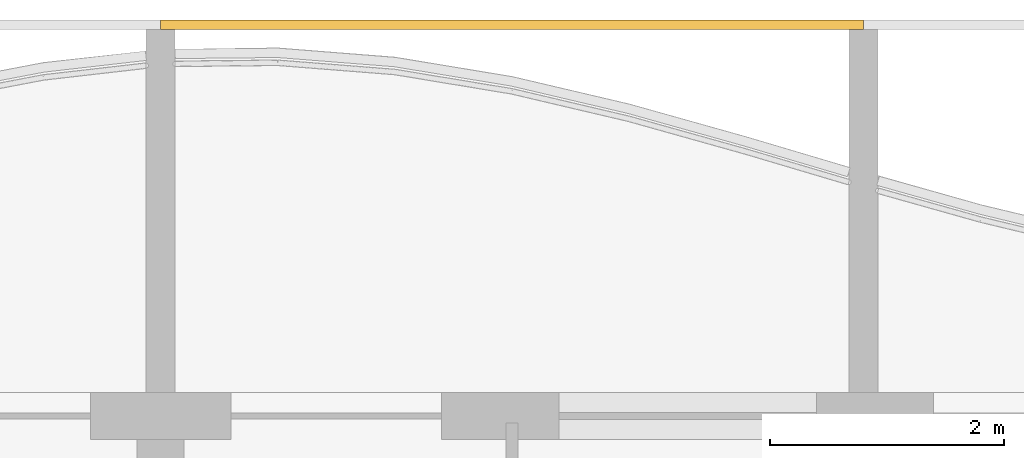
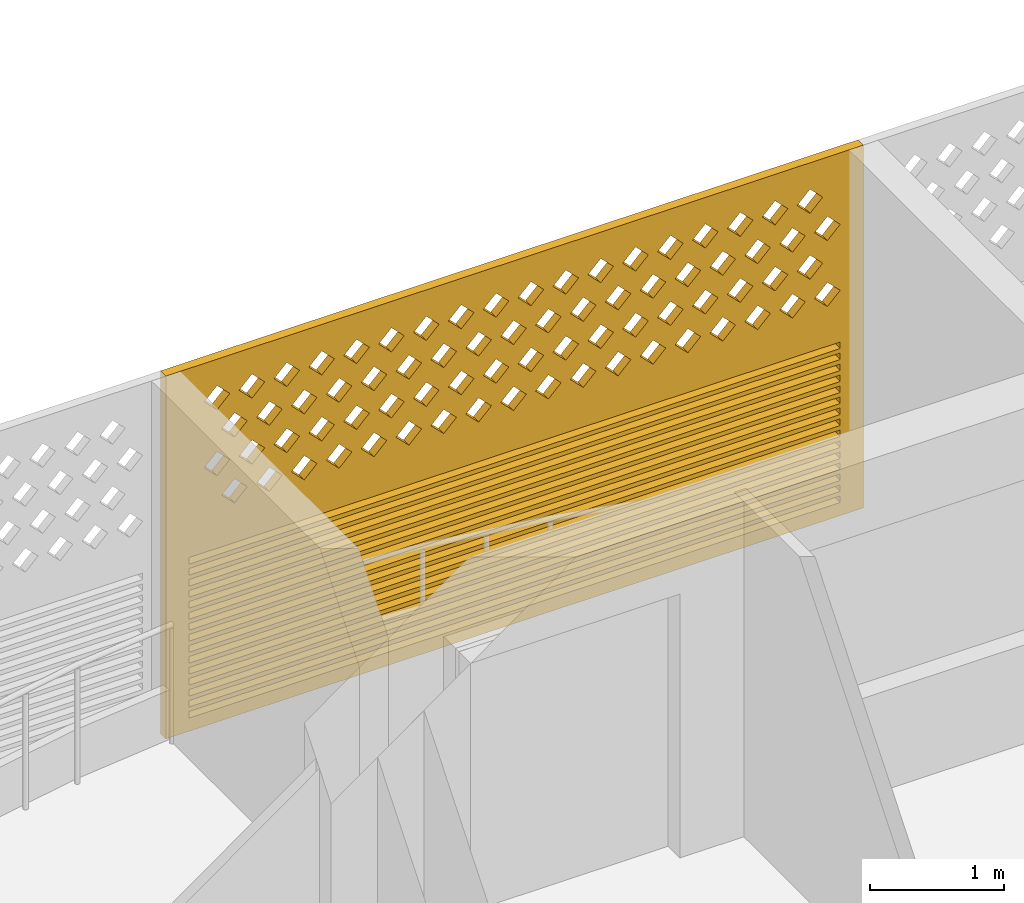
# One storey, part 32 of 39: 1 covering.
"""IFC4 building model written with IfcOpenShell, lengths in metres."""

import ifcopenshell
import ifcopenshell.guid

model = None  # the IFC model being written
_history = None  # IfcOwnerHistory: only IFC2X3 demands one
_inside = {}  # id of a spatial element -> (the spatial element, [elements in it])
_under = {}  # id of a project, library or spatial element -> (it, [spatial elements below it])
_declared = {}  # id of a project -> (the project, [libraries it declares])
_typed = {}  # id of a type object -> (the type object, [elements of that type])
_made_of = {}  # id of a material, layer set ... -> (it, [elements and type objects made of it])


def new_model(schema):
    """Start an empty IFC model of exactly this schema.

    Asked for "IFC4X3", IfcOpenShell would pick the latest addendum, in which some entities
    have other attributes; the version numbers below select the first issue.
    IFC2X3 requires an IfcOwnerHistory on every rooted entity: one is made here for all.
    """
    global model, _history
    if schema == "IFC4X3":
        model = ifcopenshell.file(schema_version=(4, 3, 0, 0))
    else:
        model = ifcopenshell.file(schema=schema)
    _inside.clear()
    _under.clear()
    _declared.clear()
    _typed.clear()
    _made_of.clear()
    _history = None
    if model.schema == "IFC2X3":
        org = make("IfcOrganization", Name="unknown")
        user = make(
            "IfcPersonAndOrganization",
            ThePerson=make("IfcPerson", FamilyName="unknown"),
            TheOrganization=org,
        )
        app = make(
            "IfcApplication",
            ApplicationDeveloper=org,
            Version="unknown",
            ApplicationFullName="unknown",
            ApplicationIdentifier="unknown",
        )
        _history = make(
            "IfcOwnerHistory",
            OwningUser=user,
            OwningApplication=app,
            ChangeAction="ADDED",
            CreationDate=0,
        )
    return model


def make(cls, **values):
    """One entity of the class cls with the attributes given. An attribute that is None is left unset."""
    return model.create_entity(
        cls, **{name: value for name, value in values.items() if value is not None}
    )


def rooted(cls, **values):
    """An entity with a GlobalId (a new one), such as an element, a storey or a relation."""
    return make(cls, GlobalId=ifcopenshell.guid.new(), OwnerHistory=_history, **values)


def si_unit(unit_type, name, prefix=None):
    """IfcSIUnit, for example si_unit("LENGTHUNIT", "METRE", prefix="MILLI")."""
    return make("IfcSIUnit", UnitType=unit_type, Prefix=prefix, Name=name)


def assignment(units):
    """IfcUnitAssignment: the units of a project."""
    return None if units is None else make("IfcUnitAssignment", Units=units)


def point(xyz):
    """IfcCartesianPoint."""
    return None if xyz is None else make("IfcCartesianPoint", Coordinates=xyz)


def direction(xyz):
    """IfcDirection."""
    return None if xyz is None else make("IfcDirection", DirectionRatios=xyz)


def frame(location, z_axis=None, x_axis=None):
    """IfcAxis2Placement3D, a coordinate frame: its origin and axes. An axis left out is left unset."""
    return make(
        "IfcAxis2Placement3D",
        Location=point(location),
        Axis=direction(z_axis),
        RefDirection=direction(x_axis),
    )


def origin():
    """The frame at (0, 0, 0) with its axes left unset."""
    return frame((0.0, 0.0, 0.0))


def place(relative_to, where):
    """IfcLocalPlacement: puts the frame where relative to a parent placement (None: the world)."""
    return make(
        "IfcLocalPlacement", PlacementRelTo=relative_to, RelativePlacement=where
    )


def context(
    kind, dimensions, precision=None, world=None, true_north=None, identifier=None
):
    """IfcGeometricRepresentationContext, for example the 3D "Model" context."""
    return make(
        "IfcGeometricRepresentationContext",
        ContextIdentifier=identifier,
        ContextType=kind,
        CoordinateSpaceDimension=dimensions,
        Precision=precision,
        WorldCoordinateSystem=world,
        TrueNorth=true_north,
    )


def subcontext(parent, identifier, kind, view, scale=None):
    """IfcGeometricRepresentationSubContext, for example "Body" below "Model"."""
    return make(
        "IfcGeometricRepresentationSubContext",
        ContextIdentifier=identifier,
        ContextType=kind,
        ParentContext=parent,
        TargetScale=scale,
        TargetView=view,
    )


def project(units=None, contexts=None):
    """IfcProject with its units and contexts."""
    return rooted(
        "IfcProject",
        Name="project",
        RepresentationContexts=contexts,
        UnitsInContext=assignment(units),
    )


def spatial(cls, under=None, at=None, **own):
    """A site, building, storey or space (cls), placed at a placement, below another one or the project."""
    s = rooted(cls, ObjectPlacement=at, **own)
    if under is not None:
        _under.setdefault(under.id(), (under, []))[1].append(s)
    return s


def polyline(points):
    """IfcPolyline through the points."""
    return make("IfcPolyline", Points=[point(p) for p in points])


def outline(outer, holes=None, kind="AREA"):
    """IfcArbitraryClosedProfileDef: a profile drawn as a closed curve; with holes, ...WithVoids."""
    if holes is None:
        return make("IfcArbitraryClosedProfileDef", ProfileType=kind, OuterCurve=outer)
    return make(
        "IfcArbitraryProfileDefWithVoids",
        ProfileType=kind,
        OuterCurve=outer,
        InnerCurves=holes,
    )


def extrude(swept, where, along, depth):
    """IfcExtrudedAreaSolid: the profile swept, set in the frame where, extruded along a direction by depth."""
    return make(
        "IfcExtrudedAreaSolid",
        SweptArea=swept,
        Position=where,
        ExtrudedDirection=direction(along),
        Depth=depth,
    )


def shape(context_of_items, identifier, shape_type, items):
    """IfcShapeRepresentation: the items that make up one representation, for example the "Body"."""
    return make(
        "IfcShapeRepresentation",
        ContextOfItems=context_of_items,
        RepresentationIdentifier=identifier,
        RepresentationType=shape_type,
        Items=items,
    )


def source(mapping_origin, context_of_items, identifier, shape_type, items):
    """IfcRepresentationMap: a shape defined once, which mapped items show again and again."""
    return make(
        "IfcRepresentationMap",
        MappingOrigin=mapping_origin,
        MappedRepresentation=shape(context_of_items, identifier, shape_type, items),
    )


def transform(
    local_origin,
    x_axis=None,
    y_axis=None,
    z_axis=None,
    scale=None,
    scale2=None,
    scale3=None,
    uniform=True,
):
    """IfcCartesianTransformationOperator3D, or its non-uniform kind. x_axis, y_axis, z_axis: its Axis1, 2, 3."""
    if uniform:
        return make(
            "IfcCartesianTransformationOperator3D",
            Axis1=direction(x_axis),
            Axis2=direction(y_axis),
            LocalOrigin=point(local_origin),
            Scale=scale,
            Axis3=direction(z_axis),
        )
    return make(
        "IfcCartesianTransformationOperator3DnonUniform",
        Axis1=direction(x_axis),
        Axis2=direction(y_axis),
        LocalOrigin=point(local_origin),
        Scale=scale,
        Axis3=direction(z_axis),
        Scale2=scale2,
        Scale3=scale3,
    )


def mapped(mapping_source, mapping_target):
    """IfcMappedItem: shows the shape of a source again, moved by a transform."""
    return make(
        "IfcMappedItem", MappingSource=mapping_source, MappingTarget=mapping_target
    )


def material(Name=None, Category=None):
    """IfcMaterial."""
    return make("IfcMaterial", Name=Name, Category=Category)


def material_profile(
    of_material, cross_section, Name=None, Category=None, Priority=None
):
    """IfcMaterialProfile: a cross section and its material."""
    return make(
        "IfcMaterialProfile",
        Name=Name,
        Material=of_material,
        Profile=cross_section,
        Priority=Priority,
        Category=Category,
    )


def profile_set(profiles, Name=None, composite=None):
    """IfcMaterialProfileSet."""
    return make(
        "IfcMaterialProfileSet",
        Name=Name,
        MaterialProfiles=profiles,
        CompositeProfile=composite,
    )


def made_of(thing, what):
    """Note that an element or type object is made of a material, layer set ...; save() writes the relation."""
    if what is not None:
        _made_of.setdefault(what.id(), (what, []))[1].append(thing)
    return thing


def type_object(cls, material=None, **own):
    """A type object (cls), such as IfcWallType, which elements share."""
    return made_of(rooted(cls, **own), material)


def element(
    cls,
    number,
    at=None,
    inside=None,
    cuts=None,
    type_object=None,
    material=None,
    context=None,
    identifier="Body",
    shape_type=None,
    held_by="IfcProductDefinitionShape",
    body=None,
    shapes=None,
    **own,
):
    """One element of the class cls, such as IfcWall. Its Tag is "e" and its number.

    at: its placement. inside: the storey or other place that contains it. cuts: it is an
    opening in that element (IfcRelVoidsElement). A single representation is given by context,
    identifier, shape_type and body (its items); several are given by shapes. held_by: the class
    of the entity that holds the representations. save() writes the other relations.
    """
    e = rooted(cls, Tag="e%d" % number, ObjectPlacement=at, **own)
    if body is not None:
        shapes = [shape(context, identifier, shape_type, body)]
    if shapes is not None:
        e.Representation = make(held_by, Representations=shapes)
    if inside is not None:
        _inside.setdefault(inside.id(), (inside, []))[1].append(e)
    if cuts is not None:
        rooted(
            "IfcRelVoidsElement", RelatingBuildingElement=cuts, RelatedOpeningElement=e
        )
    if type_object is not None:
        _typed.setdefault(type_object.id(), (type_object, []))[1].append(e)
    return made_of(e, material)


def aggregate(whole, parts):
    """IfcRelAggregates: a whole, such as a stair, and the parts it consists of."""
    return rooted("IfcRelAggregates", RelatingObject=whole, RelatedObjects=parts)


def save(model, path):
    """Write the relations noted so far, then the file.

    IfcRelAggregates (storeys below a building ...), IfcRelContainedInSpatialStructure (elements
    in a storey), IfcRelDefinesByType, IfcRelAssociatesMaterial and IfcRelDeclares: one each for
    every whole, place, type object, material and project.
    """
    for whole, parts in _under.values():
        aggregate(whole, parts)
    for where, things in _inside.values():
        rooted(
            "IfcRelContainedInSpatialStructure",
            RelatedElements=things,
            RelatingStructure=where,
        )
    for kind, things in _typed.values():
        rooted("IfcRelDefinesByType", RelatedObjects=things, RelatingType=kind)
    for what, things in _made_of.values():
        rooted("IfcRelAssociatesMaterial", RelatedObjects=things, RelatingMaterial=what)
    for by, libraries in _declared.values():
        rooted("IfcRelDeclares", RelatingContext=by, RelatedDefinitions=libraries)
    model.write(path)


model = new_model("IFC4")

# Units and contexts
model_context = context("Model", 3, precision=1e-05, world=origin(), true_north=direction((0.0, 1.0)))
body_context = subcontext(model_context, "Body", "Model", "MODEL_VIEW")
ifc_project = project(units=[si_unit("LENGTHUNIT", "METRE"), si_unit("AREAUNIT", "SQUARE_METRE"), si_unit("VOLUMEUNIT", "CUBIC_METRE"), si_unit("PLANEANGLEUNIT", "RADIAN"), si_unit("MASSUNIT", "GRAM", prefix="KILO")], contexts=[model_context])

# Site, building, storey
site_placement = place(None, origin())
site = spatial("IfcSite", under=ifc_project, at=site_placement, CompositionType="ELEMENT")
building_placement = place(site_placement, origin())
building = spatial("IfcBuilding", under=site, at=building_placement, Name="Poui Terraces", CompositionType="ELEMENT")
storey_placement = place(building_placement, frame((0.0, 0.0, 59.699951171875)))
storey = spatial("IfcBuildingStorey", under=building, at=storey_placement, Name="L16", CompositionType="ELEMENT", Elevation=59.699951171875)

# Covering
ifc_material = material(Name="Terracotta screen", Category="masonry")
ifc_material_profile = material_profile(ifc_material, outline(polyline([(-3.0, -1.64990234375), (3.0, -1.64990234375), (3.0, 1.64990234375), (-3.0, 1.64990234375), (-3.0, -1.64990234375)]), holes=[polyline([(-2.800048828125, 0.39990234375), (-2.68994140625, 0.2900390625), (-2.580078125, 0.39990234375), (-2.68994140625, 0.510009765625), (-2.800048828125, 0.39990234375)]), polyline([(-2.5, 0.39990234375), (-2.389892578125, 0.2900390625), (-2.280029296875, 0.39990234375), (-2.389892578125, 0.510009765625), (-2.5, 0.39990234375)]), polyline([(-2.199951171875, 0.39990234375), (-2.090087890625, 0.2900390625), (-1.97998046875, 0.39990234375), (-2.090087890625, 0.510009765625), (-2.199951171875, 0.39990234375)]), polyline([(-1.89990234375, 0.39990234375), (-1.7900390625, 0.2900390625), (-1.679931640625, 0.39990234375), (-1.7900390625, 0.510009765625), (-1.89990234375, 0.39990234375)]), polyline([(-1.60009765625, 0.39990234375), (-1.489990234375, 0.2900390625), (-1.3798828125, 0.39990234375), (-1.489990234375, 0.510009765625), (-1.60009765625, 0.39990234375)]), polyline([(-1.300048828125, 0.39990234375), (-1.18994140625, 0.2900390625), (-1.080078125, 0.39990234375), (-1.18994140625, 0.510009765625), (-1.300048828125, 0.39990234375)]), polyline([(-1.0, 0.39990234375), (-0.889892578125, 0.2900390625), (-0.780029296875, 0.39990234375), (-0.889892578125, 0.510009765625), (-1.0, 0.39990234375)]), polyline([(-0.699951171875, 0.39990234375), (-0.590087890625, 0.2900390625), (-0.47998046875, 0.39990234375), (-0.590087890625, 0.510009765625), (-0.699951171875, 0.39990234375)]), polyline([(-0.39990234375, 0.39990234375), (-0.2900390625, 0.2900390625), (-0.179931640625, 0.39990234375), (-0.2900390625, 0.510009765625), (-0.39990234375, 0.39990234375)]), polyline([(-0.10009765625, 0.39990234375), (0.010009765625, 0.2900390625), (0.1201171875, 0.39990234375), (0.010009765625, 0.510009765625), (-0.10009765625, 0.39990234375)]), polyline([(0.199951171875, 0.39990234375), (0.31005859375, 0.2900390625), (0.419921875, 0.39990234375), (0.31005859375, 0.510009765625), (0.199951171875, 0.39990234375)]), polyline([(0.5, 0.39990234375), (0.610107421875, 0.2900390625), (0.719970703125, 0.39990234375), (0.610107421875, 0.510009765625), (0.5, 0.39990234375)]), polyline([(0.800048828125, 0.39990234375), (0.909912109375, 0.2900390625), (1.02001953125, 0.39990234375), (0.909912109375, 0.510009765625), (0.800048828125, 0.39990234375)]), polyline([(1.10009765625, 0.39990234375), (1.2099609375, 0.2900390625), (1.320068359375, 0.39990234375), (1.2099609375, 0.510009765625), (1.10009765625, 0.39990234375)]), polyline([(1.39990234375, 0.39990234375), (1.510009765625, 0.2900390625), (1.6201171875, 0.39990234375), (1.510009765625, 0.510009765625), (1.39990234375, 0.39990234375)]), polyline([(1.699951171875, 0.39990234375), (1.81005859375, 0.2900390625), (1.919921875, 0.39990234375), (1.81005859375, 0.510009765625), (1.699951171875, 0.39990234375)]), polyline([(2.0, 0.39990234375), (2.110107421875, 0.2900390625), (2.219970703125, 0.39990234375), (2.110107421875, 0.510009765625), (2.0, 0.39990234375)]), polyline([(2.300048828125, 0.39990234375), (2.409912109375, 0.2900390625), (2.52001953125, 0.39990234375), (2.409912109375, 0.510009765625), (2.300048828125, 0.39990234375)]), polyline([(-2.64990234375, 0.699951171875), (-2.5400390625, 0.590087890625), (-2.429931640625, 0.699951171875), (-2.5400390625, 0.81005859375), (-2.64990234375, 0.699951171875)]), polyline([(-2.35009765625, 0.699951171875), (-2.239990234375, 0.590087890625), (-2.1298828125, 0.699951171875), (-2.239990234375, 0.81005859375), (-2.35009765625, 0.699951171875)]), polyline([(-2.050048828125, 0.699951171875), (-1.93994140625, 0.590087890625), (-1.830078125, 0.699951171875), (-1.93994140625, 0.81005859375), (-2.050048828125, 0.699951171875)]), polyline([(-1.75, 0.699951171875), (-1.639892578125, 0.590087890625), (-1.530029296875, 0.699951171875), (-1.639892578125, 0.81005859375), (-1.75, 0.699951171875)]), polyline([(-1.449951171875, 0.699951171875), (-1.340087890625, 0.590087890625), (-1.22998046875, 0.699951171875), (-1.340087890625, 0.81005859375), (-1.449951171875, 0.699951171875)]), polyline([(-1.14990234375, 0.699951171875), (-1.0400390625, 0.590087890625), (-0.929931640625, 0.699951171875), (-1.0400390625, 0.81005859375), (-1.14990234375, 0.699951171875)]), polyline([(-0.85009765625, 0.699951171875), (-0.739990234375, 0.590087890625), (-0.6298828125, 0.699951171875), (-0.739990234375, 0.81005859375), (-0.85009765625, 0.699951171875)]), polyline([(-0.550048828125, 0.699951171875), (-0.43994140625, 0.590087890625), (-0.330078125, 0.699951171875), (-0.43994140625, 0.81005859375), (-0.550048828125, 0.699951171875)]), polyline([(-0.25, 0.699951171875), (-0.139892578125, 0.590087890625), (-0.030029296875, 0.699951171875), (-0.139892578125, 0.81005859375), (-0.25, 0.699951171875)]), polyline([(0.050048828125, 0.699951171875), (0.159912109375, 0.590087890625), (0.27001953125, 0.699951171875), (0.159912109375, 0.81005859375), (0.050048828125, 0.699951171875)]), polyline([(0.35009765625, 0.699951171875), (0.4599609375, 0.590087890625), (0.570068359375, 0.699951171875), (0.4599609375, 0.81005859375), (0.35009765625, 0.699951171875)]), polyline([(0.64990234375, 0.699951171875), (0.760009765625, 0.590087890625), (0.8701171875, 0.699951171875), (0.760009765625, 0.81005859375), (0.64990234375, 0.699951171875)]), polyline([(0.949951171875, 0.699951171875), (1.06005859375, 0.590087890625), (1.169921875, 0.699951171875), (1.06005859375, 0.81005859375), (0.949951171875, 0.699951171875)]), polyline([(1.25, 0.699951171875), (1.360107421875, 0.590087890625), (1.469970703125, 0.699951171875), (1.360107421875, 0.81005859375), (1.25, 0.699951171875)]), polyline([(1.550048828125, 0.699951171875), (1.659912109375, 0.590087890625), (1.77001953125, 0.699951171875), (1.659912109375, 0.81005859375), (1.550048828125, 0.699951171875)]), polyline([(1.85009765625, 0.699951171875), (1.9599609375, 0.590087890625), (2.070068359375, 0.699951171875), (1.9599609375, 0.81005859375), (1.85009765625, 0.699951171875)]), polyline([(2.14990234375, 0.699951171875), (2.260009765625, 0.590087890625), (2.3701171875, 0.699951171875), (2.260009765625, 0.81005859375), (2.14990234375, 0.699951171875)]), polyline([(2.449951171875, 0.699951171875), (2.56005859375, 0.590087890625), (2.669921875, 0.699951171875), (2.56005859375, 0.81005859375), (2.449951171875, 0.699951171875)]), polyline([(-2.800048828125, 1.0), (-2.68994140625, 0.889892578125), (-2.580078125, 1.0), (-2.68994140625, 1.110107421875), (-2.800048828125, 1.0)]), polyline([(-2.5, 1.0), (-2.389892578125, 0.889892578125), (-2.280029296875, 1.0), (-2.389892578125, 1.110107421875), (-2.5, 1.0)]), polyline([(-2.199951171875, 1.0), (-2.090087890625, 0.889892578125), (-1.97998046875, 1.0), (-2.090087890625, 1.110107421875), (-2.199951171875, 1.0)]), polyline([(-1.89990234375, 1.0), (-1.7900390625, 0.889892578125), (-1.679931640625, 1.0), (-1.7900390625, 1.110107421875), (-1.89990234375, 1.0)]), polyline([(-1.60009765625, 1.0), (-1.489990234375, 0.889892578125), (-1.3798828125, 1.0), (-1.489990234375, 1.110107421875), (-1.60009765625, 1.0)]), polyline([(-1.300048828125, 1.0), (-1.18994140625, 0.889892578125), (-1.080078125, 1.0), (-1.18994140625, 1.110107421875), (-1.300048828125, 1.0)]), polyline([(-1.0, 1.0), (-0.889892578125, 0.889892578125), (-0.780029296875, 1.0), (-0.889892578125, 1.110107421875), (-1.0, 1.0)]), polyline([(-0.699951171875, 1.0), (-0.590087890625, 0.889892578125), (-0.47998046875, 1.0), (-0.590087890625, 1.110107421875), (-0.699951171875, 1.0)]), polyline([(-0.39990234375, 1.0), (-0.2900390625, 0.889892578125), (-0.179931640625, 1.0), (-0.2900390625, 1.110107421875), (-0.39990234375, 1.0)]), polyline([(-0.10009765625, 1.0), (0.010009765625, 0.889892578125), (0.1201171875, 1.0), (0.010009765625, 1.110107421875), (-0.10009765625, 1.0)]), polyline([(0.199951171875, 1.0), (0.31005859375, 0.889892578125), (0.419921875, 1.0), (0.31005859375, 1.110107421875), (0.199951171875, 1.0)]), polyline([(0.5, 1.0), (0.610107421875, 0.889892578125), (0.719970703125, 1.0), (0.610107421875, 1.110107421875), (0.5, 1.0)]), polyline([(0.800048828125, 1.0), (0.909912109375, 0.889892578125), (1.02001953125, 1.0), (0.909912109375, 1.110107421875), (0.800048828125, 1.0)]), polyline([(1.10009765625, 1.0), (1.2099609375, 0.889892578125), (1.320068359375, 1.0), (1.2099609375, 1.110107421875), (1.10009765625, 1.0)]), polyline([(1.39990234375, 1.0), (1.510009765625, 0.889892578125), (1.6201171875, 1.0), (1.510009765625, 1.110107421875), (1.39990234375, 1.0)]), polyline([(1.699951171875, 1.0), (1.81005859375, 0.889892578125), (1.919921875, 1.0), (1.81005859375, 1.110107421875), (1.699951171875, 1.0)]), polyline([(2.0, 1.0), (2.110107421875, 0.889892578125), (2.219970703125, 1.0), (2.110107421875, 1.110107421875), (2.0, 1.0)]), polyline([(2.300048828125, 1.0), (2.409912109375, 0.889892578125), (2.52001953125, 1.0), (2.409912109375, 1.110107421875), (2.300048828125, 1.0)]), polyline([(-2.64990234375, 1.300048828125), (-2.5400390625, 1.18994140625), (-2.429931640625, 1.300048828125), (-2.5400390625, 1.409912109375), (-2.64990234375, 1.300048828125)]), polyline([(-2.35009765625, 1.300048828125), (-2.239990234375, 1.18994140625), (-2.1298828125, 1.300048828125), (-2.239990234375, 1.409912109375), (-2.35009765625, 1.300048828125)]), polyline([(-2.050048828125, 1.300048828125), (-1.93994140625, 1.18994140625), (-1.830078125, 1.300048828125), (-1.93994140625, 1.409912109375), (-2.050048828125, 1.300048828125)]), polyline([(-1.75, 1.300048828125), (-1.639892578125, 1.18994140625), (-1.530029296875, 1.300048828125), (-1.639892578125, 1.409912109375), (-1.75, 1.300048828125)]), polyline([(-1.449951171875, 1.300048828125), (-1.340087890625, 1.18994140625), (-1.22998046875, 1.300048828125), (-1.340087890625, 1.409912109375), (-1.449951171875, 1.300048828125)]), polyline([(-1.14990234375, 1.300048828125), (-1.0400390625, 1.18994140625), (-0.929931640625, 1.300048828125), (-1.0400390625, 1.409912109375), (-1.14990234375, 1.300048828125)]), polyline([(-0.85009765625, 1.300048828125), (-0.739990234375, 1.18994140625), (-0.6298828125, 1.300048828125), (-0.739990234375, 1.409912109375), (-0.85009765625, 1.300048828125)]), polyline([(-0.550048828125, 1.300048828125), (-0.43994140625, 1.18994140625), (-0.330078125, 1.300048828125), (-0.43994140625, 1.409912109375), (-0.550048828125, 1.300048828125)]), polyline([(-0.25, 1.300048828125), (-0.139892578125, 1.18994140625), (-0.030029296875, 1.300048828125), (-0.139892578125, 1.409912109375), (-0.25, 1.300048828125)]), polyline([(0.050048828125, 1.300048828125), (0.159912109375, 1.18994140625), (0.27001953125, 1.300048828125), (0.159912109375, 1.409912109375), (0.050048828125, 1.300048828125)]), polyline([(0.35009765625, 1.300048828125), (0.4599609375, 1.18994140625), (0.570068359375, 1.300048828125), (0.4599609375, 1.409912109375), (0.35009765625, 1.300048828125)]), polyline([(0.64990234375, 1.300048828125), (0.760009765625, 1.18994140625), (0.8701171875, 1.300048828125), (0.760009765625, 1.409912109375), (0.64990234375, 1.300048828125)]), polyline([(0.949951171875, 1.300048828125), (1.06005859375, 1.18994140625), (1.169921875, 1.300048828125), (1.06005859375, 1.409912109375), (0.949951171875, 1.300048828125)]), polyline([(1.25, 1.300048828125), (1.360107421875, 1.18994140625), (1.469970703125, 1.300048828125), (1.360107421875, 1.409912109375), (1.25, 1.300048828125)]), polyline([(1.550048828125, 1.300048828125), (1.659912109375, 1.18994140625), (1.77001953125, 1.300048828125), (1.659912109375, 1.409912109375), (1.550048828125, 1.300048828125)]), polyline([(1.85009765625, 1.300048828125), (1.9599609375, 1.18994140625), (2.070068359375, 1.300048828125), (1.9599609375, 1.409912109375), (1.85009765625, 1.300048828125)]), polyline([(2.14990234375, 1.300048828125), (2.260009765625, 1.18994140625), (2.3701171875, 1.300048828125), (2.260009765625, 1.409912109375), (2.14990234375, 1.300048828125)]), polyline([(2.449951171875, 1.300048828125), (2.56005859375, 1.18994140625), (2.669921875, 1.300048828125), (2.56005859375, 1.409912109375), (2.449951171875, 1.300048828125)]), polyline([(-2.800048828125, -1.530029296875), (2.800048828125, -1.530029296875), (2.800048828125, -1.469970703125), (-2.800048828125, -1.469970703125), (-2.800048828125, -1.530029296875)]), polyline([(-2.800048828125, -1.429931640625), (2.800048828125, -1.429931640625), (2.800048828125, -1.3701171875), (-2.800048828125, -1.3701171875), (-2.800048828125, -1.429931640625)]), polyline([(-2.800048828125, -1.330078125), (2.800048828125, -1.330078125), (2.800048828125, -1.27001953125), (-2.800048828125, -1.27001953125), (-2.800048828125, -1.330078125)]), polyline([(-2.800048828125, -1.22998046875), (2.800048828125, -1.22998046875), (2.800048828125, -1.169921875), (-2.800048828125, -1.169921875), (-2.800048828125, -1.22998046875)]), polyline([(-2.800048828125, -1.1298828125), (2.800048828125, -1.1298828125), (2.800048828125, -1.070068359375), (-2.800048828125, -1.070068359375), (-2.800048828125, -1.1298828125)]), polyline([(-2.800048828125, -1.030029296875), (2.800048828125, -1.030029296875), (2.800048828125, -0.969970703125), (-2.800048828125, -0.969970703125), (-2.800048828125, -1.030029296875)]), polyline([(-2.800048828125, -0.929931640625), (2.800048828125, -0.929931640625), (2.800048828125, -0.8701171875), (-2.800048828125, -0.8701171875), (-2.800048828125, -0.929931640625)]), polyline([(-2.800048828125, -0.830078125), (2.800048828125, -0.830078125), (2.800048828125, -0.77001953125), (-2.800048828125, -0.77001953125), (-2.800048828125, -0.830078125)]), polyline([(-2.800048828125, -0.72998046875), (2.800048828125, -0.72998046875), (2.800048828125, -0.669921875), (-2.800048828125, -0.669921875), (-2.800048828125, -0.72998046875)]), polyline([(-2.800048828125, -0.6298828125), (2.800048828125, -0.6298828125), (2.800048828125, -0.570068359375), (-2.800048828125, -0.570068359375), (-2.800048828125, -0.6298828125)]), polyline([(-2.800048828125, -0.530029296875), (2.800048828125, -0.530029296875), (2.800048828125, -0.469970703125), (-2.800048828125, -0.469970703125), (-2.800048828125, -0.530029296875)]), polyline([(-2.800048828125, -0.429931640625), (2.800048828125, -0.429931640625), (2.800048828125, -0.3701171875), (-2.800048828125, -0.3701171875), (-2.800048828125, -0.429931640625)]), polyline([(-2.800048828125, -0.330078125), (2.800048828125, -0.330078125), (2.800048828125, -0.27001953125), (-2.800048828125, -0.27001953125), (-2.800048828125, -0.330078125)]), polyline([(-2.800048828125, -0.22998046875), (2.800048828125, -0.22998046875), (2.800048828125, -0.169921875), (-2.800048828125, -0.169921875), (-2.800048828125, -0.22998046875)]), polyline([(-2.800048828125, -0.1298828125), (2.800048828125, -0.1298828125), (2.800048828125, -0.070068359375), (-2.800048828125, -0.070068359375), (-2.800048828125, -0.1298828125)])]), Name="TERRACOTTA SCREEN AND JALOUSIE LOUVRE 6000X3300")
ifc_profile_set = profile_set([ifc_material_profile], Name="Terracotta screen")
covering_type = type_object("IfcCoveringType", Name="TERRACOTTA SCREEN AND JALOUSIE LOUVRE 6000X3300", PredefinedType="CLADDING", material=ifc_profile_set)
shared_shape = source(origin(), body_context, "Body", "SweptSolid", [
    extrude(outline(polyline([(-3.0, -1.64990234375), (3.0, -1.64990234375), (3.0, 1.64990234375), (-3.0, 1.64990234375), (-3.0, -1.64990234375)]), holes=[polyline([(-2.800048828125, 0.39990234375), (-2.68994140625, 0.2900390625), (-2.580078125, 0.39990234375), (-2.68994140625, 0.510009765625), (-2.800048828125, 0.39990234375)]), polyline([(-2.5, 0.39990234375), (-2.389892578125, 0.2900390625), (-2.280029296875, 0.39990234375), (-2.389892578125, 0.510009765625), (-2.5, 0.39990234375)]), polyline([(-2.199951171875, 0.39990234375), (-2.090087890625, 0.2900390625), (-1.97998046875, 0.39990234375), (-2.090087890625, 0.510009765625), (-2.199951171875, 0.39990234375)]), polyline([(-1.89990234375, 0.39990234375), (-1.7900390625, 0.2900390625), (-1.679931640625, 0.39990234375), (-1.7900390625, 0.510009765625), (-1.89990234375, 0.39990234375)]), polyline([(-1.60009765625, 0.39990234375), (-1.489990234375, 0.2900390625), (-1.3798828125, 0.39990234375), (-1.489990234375, 0.510009765625), (-1.60009765625, 0.39990234375)]), polyline([(-1.300048828125, 0.39990234375), (-1.18994140625, 0.2900390625), (-1.080078125, 0.39990234375), (-1.18994140625, 0.510009765625), (-1.300048828125, 0.39990234375)]), polyline([(-1.0, 0.39990234375), (-0.889892578125, 0.2900390625), (-0.780029296875, 0.39990234375), (-0.889892578125, 0.510009765625), (-1.0, 0.39990234375)]), polyline([(-0.699951171875, 0.39990234375), (-0.590087890625, 0.2900390625), (-0.47998046875, 0.39990234375), (-0.590087890625, 0.510009765625), (-0.699951171875, 0.39990234375)]), polyline([(-0.39990234375, 0.39990234375), (-0.2900390625, 0.2900390625), (-0.179931640625, 0.39990234375), (-0.2900390625, 0.510009765625), (-0.39990234375, 0.39990234375)]), polyline([(-0.10009765625, 0.39990234375), (0.010009765625, 0.2900390625), (0.1201171875, 0.39990234375), (0.010009765625, 0.510009765625), (-0.10009765625, 0.39990234375)]), polyline([(0.199951171875, 0.39990234375), (0.31005859375, 0.2900390625), (0.419921875, 0.39990234375), (0.31005859375, 0.510009765625), (0.199951171875, 0.39990234375)]), polyline([(0.5, 0.39990234375), (0.610107421875, 0.2900390625), (0.719970703125, 0.39990234375), (0.610107421875, 0.510009765625), (0.5, 0.39990234375)]), polyline([(0.800048828125, 0.39990234375), (0.909912109375, 0.2900390625), (1.02001953125, 0.39990234375), (0.909912109375, 0.510009765625), (0.800048828125, 0.39990234375)]), polyline([(1.10009765625, 0.39990234375), (1.2099609375, 0.2900390625), (1.320068359375, 0.39990234375), (1.2099609375, 0.510009765625), (1.10009765625, 0.39990234375)]), polyline([(1.39990234375, 0.39990234375), (1.510009765625, 0.2900390625), (1.6201171875, 0.39990234375), (1.510009765625, 0.510009765625), (1.39990234375, 0.39990234375)]), polyline([(1.699951171875, 0.39990234375), (1.81005859375, 0.2900390625), (1.919921875, 0.39990234375), (1.81005859375, 0.510009765625), (1.699951171875, 0.39990234375)]), polyline([(2.0, 0.39990234375), (2.110107421875, 0.2900390625), (2.219970703125, 0.39990234375), (2.110107421875, 0.510009765625), (2.0, 0.39990234375)]), polyline([(2.300048828125, 0.39990234375), (2.409912109375, 0.2900390625), (2.52001953125, 0.39990234375), (2.409912109375, 0.510009765625), (2.300048828125, 0.39990234375)]), polyline([(-2.64990234375, 0.699951171875), (-2.5400390625, 0.590087890625), (-2.429931640625, 0.699951171875), (-2.5400390625, 0.81005859375), (-2.64990234375, 0.699951171875)]), polyline([(-2.35009765625, 0.699951171875), (-2.239990234375, 0.590087890625), (-2.1298828125, 0.699951171875), (-2.239990234375, 0.81005859375), (-2.35009765625, 0.699951171875)]), polyline([(-2.050048828125, 0.699951171875), (-1.93994140625, 0.590087890625), (-1.830078125, 0.699951171875), (-1.93994140625, 0.81005859375), (-2.050048828125, 0.699951171875)]), polyline([(-1.75, 0.699951171875), (-1.639892578125, 0.590087890625), (-1.530029296875, 0.699951171875), (-1.639892578125, 0.81005859375), (-1.75, 0.699951171875)]), polyline([(-1.449951171875, 0.699951171875), (-1.340087890625, 0.590087890625), (-1.22998046875, 0.699951171875), (-1.340087890625, 0.81005859375), (-1.449951171875, 0.699951171875)]), polyline([(-1.14990234375, 0.699951171875), (-1.0400390625, 0.590087890625), (-0.929931640625, 0.699951171875), (-1.0400390625, 0.81005859375), (-1.14990234375, 0.699951171875)]), polyline([(-0.85009765625, 0.699951171875), (-0.739990234375, 0.590087890625), (-0.6298828125, 0.699951171875), (-0.739990234375, 0.81005859375), (-0.85009765625, 0.699951171875)]), polyline([(-0.550048828125, 0.699951171875), (-0.43994140625, 0.590087890625), (-0.330078125, 0.699951171875), (-0.43994140625, 0.81005859375), (-0.550048828125, 0.699951171875)]), polyline([(-0.25, 0.699951171875), (-0.139892578125, 0.590087890625), (-0.030029296875, 0.699951171875), (-0.139892578125, 0.81005859375), (-0.25, 0.699951171875)]), polyline([(0.050048828125, 0.699951171875), (0.159912109375, 0.590087890625), (0.27001953125, 0.699951171875), (0.159912109375, 0.81005859375), (0.050048828125, 0.699951171875)]), polyline([(0.35009765625, 0.699951171875), (0.4599609375, 0.590087890625), (0.570068359375, 0.699951171875), (0.4599609375, 0.81005859375), (0.35009765625, 0.699951171875)]), polyline([(0.64990234375, 0.699951171875), (0.760009765625, 0.590087890625), (0.8701171875, 0.699951171875), (0.760009765625, 0.81005859375), (0.64990234375, 0.699951171875)]), polyline([(0.949951171875, 0.699951171875), (1.06005859375, 0.590087890625), (1.169921875, 0.699951171875), (1.06005859375, 0.81005859375), (0.949951171875, 0.699951171875)]), polyline([(1.25, 0.699951171875), (1.360107421875, 0.590087890625), (1.469970703125, 0.699951171875), (1.360107421875, 0.81005859375), (1.25, 0.699951171875)]), polyline([(1.550048828125, 0.699951171875), (1.659912109375, 0.590087890625), (1.77001953125, 0.699951171875), (1.659912109375, 0.81005859375), (1.550048828125, 0.699951171875)]), polyline([(1.85009765625, 0.699951171875), (1.9599609375, 0.590087890625), (2.070068359375, 0.699951171875), (1.9599609375, 0.81005859375), (1.85009765625, 0.699951171875)]), polyline([(2.14990234375, 0.699951171875), (2.260009765625, 0.590087890625), (2.3701171875, 0.699951171875), (2.260009765625, 0.81005859375), (2.14990234375, 0.699951171875)]), polyline([(2.449951171875, 0.699951171875), (2.56005859375, 0.590087890625), (2.669921875, 0.699951171875), (2.56005859375, 0.81005859375), (2.449951171875, 0.699951171875)]), polyline([(-2.800048828125, 1.0), (-2.68994140625, 0.889892578125), (-2.580078125, 1.0), (-2.68994140625, 1.110107421875), (-2.800048828125, 1.0)]), polyline([(-2.5, 1.0), (-2.389892578125, 0.889892578125), (-2.280029296875, 1.0), (-2.389892578125, 1.110107421875), (-2.5, 1.0)]), polyline([(-2.199951171875, 1.0), (-2.090087890625, 0.889892578125), (-1.97998046875, 1.0), (-2.090087890625, 1.110107421875), (-2.199951171875, 1.0)]), polyline([(-1.89990234375, 1.0), (-1.7900390625, 0.889892578125), (-1.679931640625, 1.0), (-1.7900390625, 1.110107421875), (-1.89990234375, 1.0)]), polyline([(-1.60009765625, 1.0), (-1.489990234375, 0.889892578125), (-1.3798828125, 1.0), (-1.489990234375, 1.110107421875), (-1.60009765625, 1.0)]), polyline([(-1.300048828125, 1.0), (-1.18994140625, 0.889892578125), (-1.080078125, 1.0), (-1.18994140625, 1.110107421875), (-1.300048828125, 1.0)]), polyline([(-1.0, 1.0), (-0.889892578125, 0.889892578125), (-0.780029296875, 1.0), (-0.889892578125, 1.110107421875), (-1.0, 1.0)]), polyline([(-0.699951171875, 1.0), (-0.590087890625, 0.889892578125), (-0.47998046875, 1.0), (-0.590087890625, 1.110107421875), (-0.699951171875, 1.0)]), polyline([(-0.39990234375, 1.0), (-0.2900390625, 0.889892578125), (-0.179931640625, 1.0), (-0.2900390625, 1.110107421875), (-0.39990234375, 1.0)]), polyline([(-0.10009765625, 1.0), (0.010009765625, 0.889892578125), (0.1201171875, 1.0), (0.010009765625, 1.110107421875), (-0.10009765625, 1.0)]), polyline([(0.199951171875, 1.0), (0.31005859375, 0.889892578125), (0.419921875, 1.0), (0.31005859375, 1.110107421875), (0.199951171875, 1.0)]), polyline([(0.5, 1.0), (0.610107421875, 0.889892578125), (0.719970703125, 1.0), (0.610107421875, 1.110107421875), (0.5, 1.0)]), polyline([(0.800048828125, 1.0), (0.909912109375, 0.889892578125), (1.02001953125, 1.0), (0.909912109375, 1.110107421875), (0.800048828125, 1.0)]), polyline([(1.10009765625, 1.0), (1.2099609375, 0.889892578125), (1.320068359375, 1.0), (1.2099609375, 1.110107421875), (1.10009765625, 1.0)]), polyline([(1.39990234375, 1.0), (1.510009765625, 0.889892578125), (1.6201171875, 1.0), (1.510009765625, 1.110107421875), (1.39990234375, 1.0)]), polyline([(1.699951171875, 1.0), (1.81005859375, 0.889892578125), (1.919921875, 1.0), (1.81005859375, 1.110107421875), (1.699951171875, 1.0)]), polyline([(2.0, 1.0), (2.110107421875, 0.889892578125), (2.219970703125, 1.0), (2.110107421875, 1.110107421875), (2.0, 1.0)]), polyline([(2.300048828125, 1.0), (2.409912109375, 0.889892578125), (2.52001953125, 1.0), (2.409912109375, 1.110107421875), (2.300048828125, 1.0)]), polyline([(-2.64990234375, 1.300048828125), (-2.5400390625, 1.18994140625), (-2.429931640625, 1.300048828125), (-2.5400390625, 1.409912109375), (-2.64990234375, 1.300048828125)]), polyline([(-2.35009765625, 1.300048828125), (-2.239990234375, 1.18994140625), (-2.1298828125, 1.300048828125), (-2.239990234375, 1.409912109375), (-2.35009765625, 1.300048828125)]), polyline([(-2.050048828125, 1.300048828125), (-1.93994140625, 1.18994140625), (-1.830078125, 1.300048828125), (-1.93994140625, 1.409912109375), (-2.050048828125, 1.300048828125)]), polyline([(-1.75, 1.300048828125), (-1.639892578125, 1.18994140625), (-1.530029296875, 1.300048828125), (-1.639892578125, 1.409912109375), (-1.75, 1.300048828125)]), polyline([(-1.449951171875, 1.300048828125), (-1.340087890625, 1.18994140625), (-1.22998046875, 1.300048828125), (-1.340087890625, 1.409912109375), (-1.449951171875, 1.300048828125)]), polyline([(-1.14990234375, 1.300048828125), (-1.0400390625, 1.18994140625), (-0.929931640625, 1.300048828125), (-1.0400390625, 1.409912109375), (-1.14990234375, 1.300048828125)]), polyline([(-0.85009765625, 1.300048828125), (-0.739990234375, 1.18994140625), (-0.6298828125, 1.300048828125), (-0.739990234375, 1.409912109375), (-0.85009765625, 1.300048828125)]), polyline([(-0.550048828125, 1.300048828125), (-0.43994140625, 1.18994140625), (-0.330078125, 1.300048828125), (-0.43994140625, 1.409912109375), (-0.550048828125, 1.300048828125)]), polyline([(-0.25, 1.300048828125), (-0.139892578125, 1.18994140625), (-0.030029296875, 1.300048828125), (-0.139892578125, 1.409912109375), (-0.25, 1.300048828125)]), polyline([(0.050048828125, 1.300048828125), (0.159912109375, 1.18994140625), (0.27001953125, 1.300048828125), (0.159912109375, 1.409912109375), (0.050048828125, 1.300048828125)]), polyline([(0.35009765625, 1.300048828125), (0.4599609375, 1.18994140625), (0.570068359375, 1.300048828125), (0.4599609375, 1.409912109375), (0.35009765625, 1.300048828125)]), polyline([(0.64990234375, 1.300048828125), (0.760009765625, 1.18994140625), (0.8701171875, 1.300048828125), (0.760009765625, 1.409912109375), (0.64990234375, 1.300048828125)]), polyline([(0.949951171875, 1.300048828125), (1.06005859375, 1.18994140625), (1.169921875, 1.300048828125), (1.06005859375, 1.409912109375), (0.949951171875, 1.300048828125)]), polyline([(1.25, 1.300048828125), (1.360107421875, 1.18994140625), (1.469970703125, 1.300048828125), (1.360107421875, 1.409912109375), (1.25, 1.300048828125)]), polyline([(1.550048828125, 1.300048828125), (1.659912109375, 1.18994140625), (1.77001953125, 1.300048828125), (1.659912109375, 1.409912109375), (1.550048828125, 1.300048828125)]), polyline([(1.85009765625, 1.300048828125), (1.9599609375, 1.18994140625), (2.070068359375, 1.300048828125), (1.9599609375, 1.409912109375), (1.85009765625, 1.300048828125)]), polyline([(2.14990234375, 1.300048828125), (2.260009765625, 1.18994140625), (2.3701171875, 1.300048828125), (2.260009765625, 1.409912109375), (2.14990234375, 1.300048828125)]), polyline([(2.449951171875, 1.300048828125), (2.56005859375, 1.18994140625), (2.669921875, 1.300048828125), (2.56005859375, 1.409912109375), (2.449951171875, 1.300048828125)]), polyline([(-2.800048828125, -1.530029296875), (2.800048828125, -1.530029296875), (2.800048828125, -1.469970703125), (-2.800048828125, -1.469970703125), (-2.800048828125, -1.530029296875)]), polyline([(-2.800048828125, -1.429931640625), (2.800048828125, -1.429931640625), (2.800048828125, -1.3701171875), (-2.800048828125, -1.3701171875), (-2.800048828125, -1.429931640625)]), polyline([(-2.800048828125, -1.330078125), (2.800048828125, -1.330078125), (2.800048828125, -1.27001953125), (-2.800048828125, -1.27001953125), (-2.800048828125, -1.330078125)]), polyline([(-2.800048828125, -1.22998046875), (2.800048828125, -1.22998046875), (2.800048828125, -1.169921875), (-2.800048828125, -1.169921875), (-2.800048828125, -1.22998046875)]), polyline([(-2.800048828125, -1.1298828125), (2.800048828125, -1.1298828125), (2.800048828125, -1.070068359375), (-2.800048828125, -1.070068359375), (-2.800048828125, -1.1298828125)]), polyline([(-2.800048828125, -1.030029296875), (2.800048828125, -1.030029296875), (2.800048828125, -0.969970703125), (-2.800048828125, -0.969970703125), (-2.800048828125, -1.030029296875)]), polyline([(-2.800048828125, -0.929931640625), (2.800048828125, -0.929931640625), (2.800048828125, -0.8701171875), (-2.800048828125, -0.8701171875), (-2.800048828125, -0.929931640625)]), polyline([(-2.800048828125, -0.830078125), (2.800048828125, -0.830078125), (2.800048828125, -0.77001953125), (-2.800048828125, -0.77001953125), (-2.800048828125, -0.830078125)]), polyline([(-2.800048828125, -0.72998046875), (2.800048828125, -0.72998046875), (2.800048828125, -0.669921875), (-2.800048828125, -0.669921875), (-2.800048828125, -0.72998046875)]), polyline([(-2.800048828125, -0.6298828125), (2.800048828125, -0.6298828125), (2.800048828125, -0.570068359375), (-2.800048828125, -0.570068359375), (-2.800048828125, -0.6298828125)]), polyline([(-2.800048828125, -0.530029296875), (2.800048828125, -0.530029296875), (2.800048828125, -0.469970703125), (-2.800048828125, -0.469970703125), (-2.800048828125, -0.530029296875)]), polyline([(-2.800048828125, -0.429931640625), (2.800048828125, -0.429931640625), (2.800048828125, -0.3701171875), (-2.800048828125, -0.3701171875), (-2.800048828125, -0.429931640625)]), polyline([(-2.800048828125, -0.330078125), (2.800048828125, -0.330078125), (2.800048828125, -0.27001953125), (-2.800048828125, -0.27001953125), (-2.800048828125, -0.330078125)]), polyline([(-2.800048828125, -0.22998046875), (2.800048828125, -0.22998046875), (2.800048828125, -0.169921875), (-2.800048828125, -0.169921875), (-2.800048828125, -0.22998046875)]), polyline([(-2.800048828125, -0.1298828125), (2.800048828125, -0.1298828125), (2.800048828125, -0.070068359375), (-2.800048828125, -0.070068359375), (-2.800048828125, -0.1298828125)])]), origin(), (0.0, 0.0, 1.0), 0.079833984375),
])
covering_placement = place(storey_placement, frame((63.0, 48.10009765625, 1.449951171875), z_axis=(0.0, 1.0, 0.0), x_axis=(-1.0, 0.0, 0.0)))
element("IfcCovering", 1, at=covering_placement, inside=storey, type_object=covering_type, Name="SOLAR SCREEN AND JALOUSIE LOUVRE", PredefinedType="CLADDING", context=body_context, shape_type="MappedRepresentation", body=[
    mapped(shared_shape, transform((0.0, 0.0, 0.0))),
])

save(model, "model.ifc")
